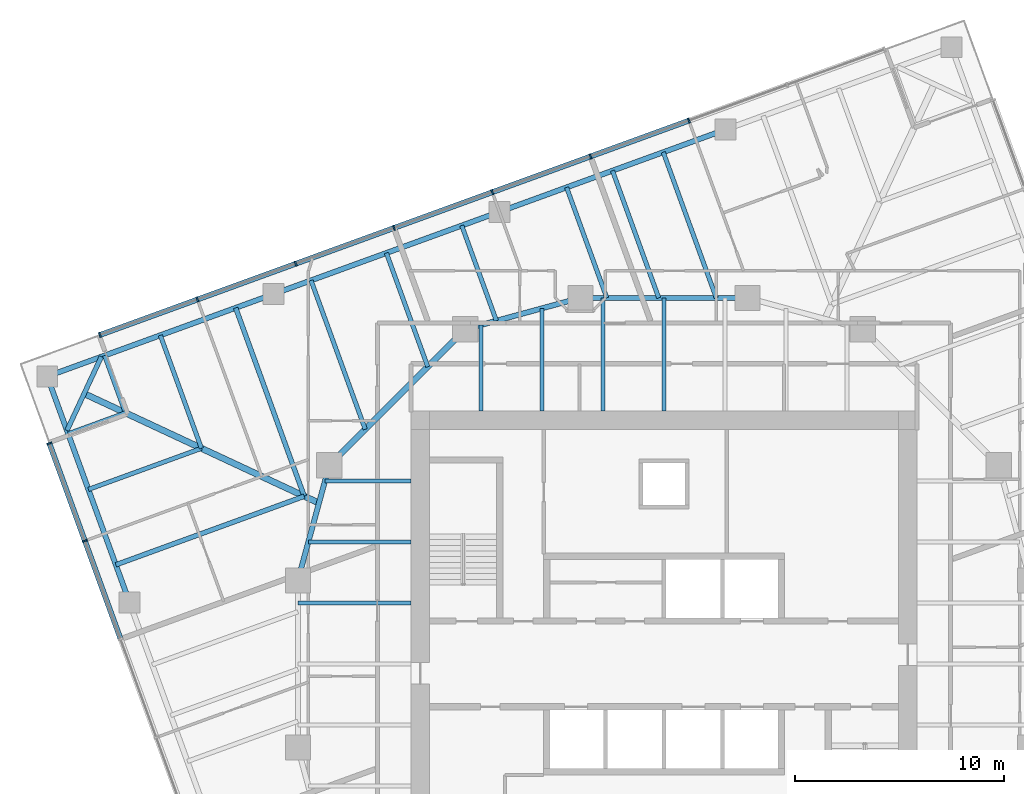
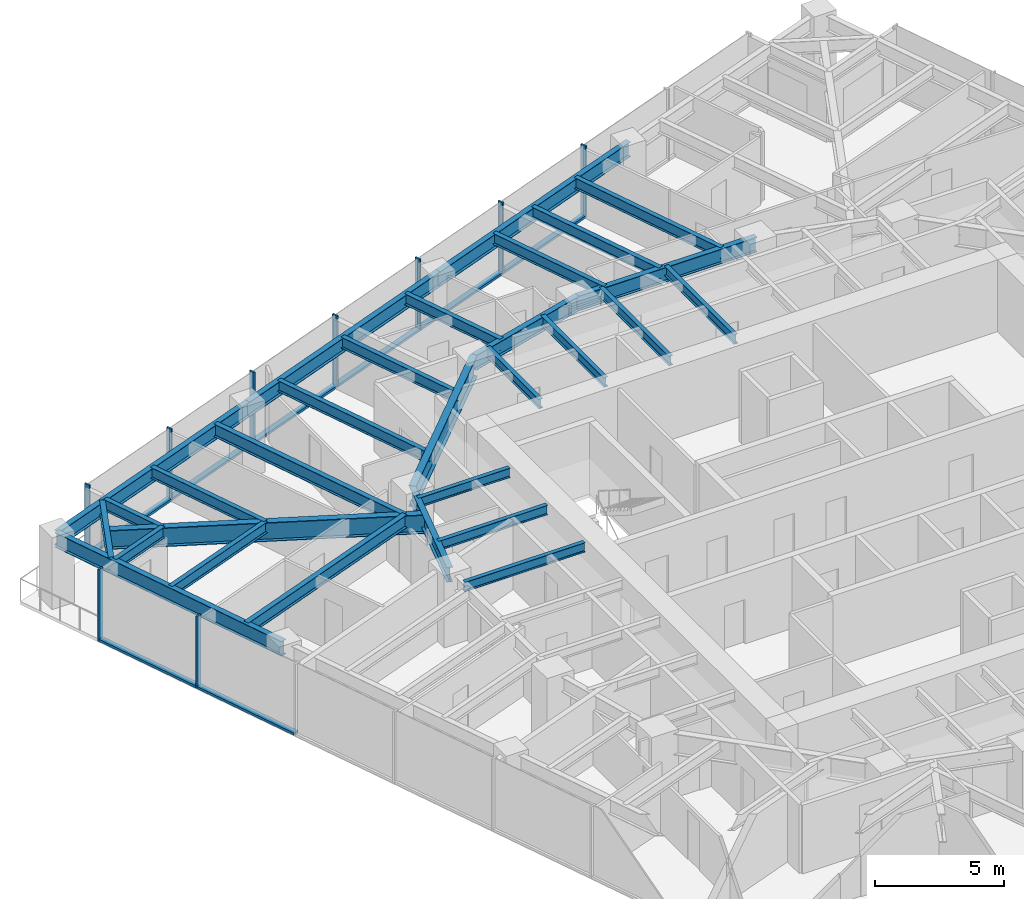
# One storey, part 4 of 13: 29 beams, 17 members, 2 elements without a shape of their own.
"""IFC4 building model written with IfcOpenShell, lengths in metres."""

from ifc_helpers import new_model, si_unit, direction, frame, origin, origin_2d, place, context, subcontext, project, spatial, rectangle, i_section, extrude, material, material_profile, profile_set, type_object, element, aggregate, save


model = new_model("IFC4")

# Units and contexts
model_context = context("Model", 3, precision=1e-05, world=origin(), true_north=direction((0.0, 1.0)))
body_context = subcontext(model_context, "Body", "Model", "MODEL_VIEW")
ifc_project = project(units=[si_unit("LENGTHUNIT", "METRE"), si_unit("AREAUNIT", "SQUARE_METRE"), si_unit("VOLUMEUNIT", "CUBIC_METRE"), si_unit("PLANEANGLEUNIT", "RADIAN"), si_unit("MASSUNIT", "GRAM", prefix="KILO")], contexts=[model_context])

# Site, building, storey
site_placement = place(None, origin())
site = spatial("IfcSite", under=ifc_project, at=site_placement, CompositionType="ELEMENT")
building_placement = place(site_placement, origin())
building = spatial("IfcBuilding", under=site, at=building_placement, Name="Torsade Residences", CompositionType="ELEMENT")
storey_placement = place(building_placement, frame((0.0, 0.0, 150.60009765625)))
storey = spatial("IfcBuildingStorey", under=building, at=storey_placement, Name="L41", CompositionType="ELEMENT", Elevation=150.60009765625)

# Beams
ifc_material_1 = material(Name="Steel grade 300", Category="steel")
ifc_material_profile_1 = material_profile(ifc_material_1, i_section(OverallWidth=0.300048828125, OverallDepth=0.89990234375, WebThickness=0.011962890625, FlangeThickness=0.02490234375, at=origin_2d()), Name="900WB175")
ifc_profile_set_1 = profile_set([ifc_material_profile_1], Name="Steel grade 300")
beam_type_1 = type_object("IfcBeamType", Name="CORNER GIRDER 900WB175", PredefinedType="BEAM", material=ifc_profile_set_1)
beam_1_placement = place(storey_placement, frame((12.282958984375, 42.924560546875, 2.7998046875), z_axis=(0.906308509373, -0.422616712682, 0.0), x_axis=(0.422616712682, 0.906308509373, 0.0)))
element("IfcBeam", 1, at=beam_1_placement, inside=storey, type_object=beam_type_1, Name="Corner girder 13 L42", PredefinedType="BEAM", context=body_context, shape_type="SweptSolid", body=[
    extrude(i_section(OverallWidth=0.300048828125, OverallDepth=0.89990234375, WebThickness=0.011962890625, FlangeThickness=0.02490234375, at=origin_2d()), origin(), (0.0, 0.0, 1.0), 12.3837890625),
])
ifc_material_2 = material(Name="Steel grade 300", Category="steel")
ifc_material_profile_2 = material_profile(ifc_material_2, i_section(OverallWidth=0.22802734375, OverallDepth=0.60205078125, WebThickness=0.010498046875, FlangeThickness=0.014892578125, FilletRadius=0.013916015625, at=origin_2d()), Name="610UB101")
ifc_profile_set_2 = profile_set([ifc_material_profile_2], Name="Steel grade 300")
beam_type_2 = type_object("IfcBeamType", Name="CORNER TRIMMER 610UB101", PredefinedType="BEAM", material=ifc_profile_set_2)
beam_2_placement = place(storey_placement, frame((11.461181640625, 41.162353515625, 2.948974609375), z_axis=(0.422613947806, 0.906309798645, 0.0), x_axis=(-0.906309798645, 0.422613947806, 0.0)))
element("IfcBeam", 2, at=beam_2_placement, inside=storey, type_object=beam_type_2, Name="Corner trimmer 13 L42", PredefinedType="BEAM", context=body_context, shape_type="SweptSolid", body=[
    extrude(i_section(OverallWidth=0.22802734375, OverallDepth=0.60205078125, WebThickness=0.010498046875, FlangeThickness=0.014892578125, FilletRadius=0.013916015625, at=origin_2d()), origin(), (0.0, 0.0, 1.0), 3.888916015625),
])
ifc_material_3 = material(Name="Steel grade 300", Category="steel")
ifc_material_profile_3 = material_profile(ifc_material_3, i_section(OverallWidth=0.25, OverallDepth=0.699951171875, WebThickness=0.010009765625, FlangeThickness=0.02001953125, at=origin_2d()), Name="700WB130")
ifc_profile_set_3 = profile_set([ifc_material_profile_3], Name="Steel grade 300")
beam_type_3 = type_object("IfcBeamType", Name="EDGE BEAM 700WB130", PredefinedType="SPANDREL", material=ifc_profile_set_3)
for number, where, z_axis, x_axis, name in (
    (3, (42.93994140625, 55.546142578125, 2.89990234375), (-0.939695448801, -0.342012373318, 0.0), (0.342012373318, -0.939695448801, 0.0), "Edge beam 10 L42"),
    (4, (32.133544921875, 51.613037109375, 2.89990234375), (-0.939688625666, -0.342031119628, 0.0), (0.342031119628, -0.939688625666, 0.0), "Edge beam 11 L42"),
    (5, (21.3271484375, 47.6796875, 2.89990234375), (-0.939697932031, -0.342005550448, 0.0), (0.342005550448, -0.939697932031, 0.0), "Edge beam 12 L42"),
):
    element("IfcBeam", number, at=place(storey_placement, frame(where, z_axis=z_axis, x_axis=x_axis)), inside=storey, type_object=beam_type_3, Name=name, PredefinedType="SPANDREL", context=body_context, shape_type="SweptSolid", body=[
        extrude(i_section(OverallWidth=0.25, OverallDepth=0.699951171875, WebThickness=0.010009765625, FlangeThickness=0.02001953125, at=origin_2d()), origin(), (0.0, 0.0, 1.0), 11.5),
    ])
beam_3_placement = place(storey_placement, frame((10.5205078125, 43.74658203125, 2.89990234375), z_axis=(0.342024296483, -0.93969110915, 0.0), x_axis=(0.93969110915, 0.342024296483, 0.0)))
element("IfcBeam", 6, at=beam_3_placement, inside=storey, type_object=beam_type_3, Name="Edge beam 13 L42", PredefinedType="SPANDREL", context=body_context, shape_type="SweptSolid", body=[
    extrude(i_section(OverallWidth=0.25, OverallDepth=0.699951171875, WebThickness=0.010009765625, FlangeThickness=0.02001953125, at=origin_2d()), origin(), (0.0, 0.0, 1.0), 11.500244140625),
])
ifc_material_4 = material(Name="Steel grade 300", Category="steel")
ifc_material_profile_4 = material_profile(ifc_material_4, i_section(OverallWidth=0.18994140625, OverallDepth=0.4541015625, WebThickness=0.008544921875, FlangeThickness=0.0126953125, FilletRadius=0.011474609375, at=origin_2d()), Name="460UB67.1")
ifc_profile_set_4 = profile_set([ifc_material_profile_4], Name="Steel grade 300")
beam_type_4 = type_object("IfcBeamType", Name="INNER FLOOR BEAM 460UB67.1", PredefinedType="JOIST", material=ifc_profile_set_4)
beam_4_placement = place(storey_placement, frame((31.262451171875, 42.10009765625, 3.02294921875), z_axis=(0.0, 1.0, 0.0), x_axis=(-1.0, 0.0, 0.0)))
element("IfcBeam", 7, at=beam_4_placement, inside=storey, type_object=beam_type_4, Name="Inner floor beam IN01 L42", PredefinedType="JOIST", context=body_context, shape_type="SweptSolid", body=[
    extrude(i_section(OverallWidth=0.18994140625, OverallDepth=0.4541015625, WebThickness=0.008544921875, FlangeThickness=0.0126953125, FilletRadius=0.011474609375, at=origin_2d()), origin(), (0.0, 0.0, 1.0), 4.10791015625),
])
beam_5_placement = place(storey_placement, frame((34.175048828125, 42.10009765625, 3.02294921875), z_axis=(0.0, 1.0, 0.0), x_axis=(-1.0, 0.0, 0.0)))
element("IfcBeam", 8, at=beam_5_placement, inside=storey, type_object=beam_type_4, Name="Inner floor beam IN02 L42", PredefinedType="JOIST", context=body_context, shape_type="SweptSolid", body=[
    extrude(i_section(OverallWidth=0.18994140625, OverallDepth=0.4541015625, WebThickness=0.008544921875, FlangeThickness=0.0126953125, FilletRadius=0.011474609375, at=origin_2d()), origin(), (0.0, 0.0, 1.0), 4.902099609375),
])
for number, where, z_axis, x_axis, name in (
    (9, (37.08740234375, 42.10009765625, 3.02294921875), (0.0, 1.0, 0.0), (-1.0, 0.0, 0.0), "Inner floor beam IN03 L42"),
    (10, (40.0, 42.10009765625, 3.02294921875), (0.0, 1.0, 0.0), (-1.0, 0.0, 0.0), "Inner floor beam IN04 L42"),
):
    element("IfcBeam", number, at=place(storey_placement, frame(where, z_axis=z_axis, x_axis=x_axis)), inside=storey, type_object=beam_type_4, Name=name, PredefinedType="JOIST", context=body_context, shape_type="SweptSolid", body=[
        extrude(i_section(OverallWidth=0.18994140625, OverallDepth=0.4541015625, WebThickness=0.008544921875, FlangeThickness=0.0126953125, FilletRadius=0.011474609375, at=origin_2d()), origin(), (0.0, 0.0, 1.0), 5.39990234375),
    ])
beam_6_placement = place(storey_placement, frame((27.89990234375, 38.737548828125, 3.02294921875), z_axis=(-1.0, 0.0, 0.0), x_axis=(0.0, -1.0, 0.0)))
element("IfcBeam", 11, at=beam_6_placement, inside=storey, type_object=beam_type_4, Name="Inner floor beam IW01 L42", PredefinedType="JOIST", context=body_context, shape_type="SweptSolid", body=[
    extrude(i_section(OverallWidth=0.18994140625, OverallDepth=0.4541015625, WebThickness=0.008544921875, FlangeThickness=0.0126953125, FilletRadius=0.011474609375, at=origin_2d()), origin(), (0.0, 0.0, 1.0), 4.10791015625),
])
beam_7_placement = place(storey_placement, frame((27.89990234375, 35.824951171875, 3.02294921875), z_axis=(-1.0, 0.0, 0.0), x_axis=(0.0, -1.0, 0.0)))
element("IfcBeam", 12, at=beam_7_placement, inside=storey, type_object=beam_type_4, Name="Inner floor beam IW02 L42", PredefinedType="JOIST", context=body_context, shape_type="SweptSolid", body=[
    extrude(i_section(OverallWidth=0.18994140625, OverallDepth=0.4541015625, WebThickness=0.008544921875, FlangeThickness=0.0126953125, FilletRadius=0.011474609375, at=origin_2d()), origin(), (0.0, 0.0, 1.0), 4.902099609375),
])
beam_8_placement = place(storey_placement, frame((27.89990234375, 32.91259765625, 3.02294921875), z_axis=(-1.0, 0.0, 0.0), x_axis=(0.0, -1.0, 0.0)))
element("IfcBeam", 13, at=beam_8_placement, inside=storey, type_object=beam_type_4, Name="Inner floor beam IW03 L42", PredefinedType="JOIST", context=body_context, shape_type="SweptSolid", body=[
    extrude(i_section(OverallWidth=0.18994140625, OverallDepth=0.4541015625, WebThickness=0.008544921875, FlangeThickness=0.0126953125, FilletRadius=0.011474609375, at=origin_2d()), origin(), (0.0, 0.0, 1.0), 5.39990234375),
])

# Curtain wall, members
ifc_material_5 = material(Name="Aluminium and glass", Category="aluminium")
curtain_wall_type = type_object("IfcCurtainWallType", Name="FRITTED GLASS CURTAIN WALL MID ZONE", PredefinedType="NOTDEFINED", material=ifc_material_5)
curtain_wall_1_placement = place(storey_placement, origin())
curtain_wall_1 = element("IfcCurtainWall", 14, at=curtain_wall_1_placement, inside=storey, type_object=curtain_wall_type, Name="Curtain wall L41 face 7", PredefinedType="NOTDEFINED")
ifc_material_6 = material(Name="Aluminium mullion", Category="aluminium")
ifc_material_profile_5 = material_profile(ifc_material_6, rectangle(XDim=0.25, YDim=0.080078125, at=origin_2d()), Name="MID ZONE CURTAIN WALL MULLION 250x80")
ifc_profile_set_5 = profile_set([ifc_material_profile_5], Name="Aluminium mullion")
member_type_1 = type_object("IfcMemberType", Name="MID ZONE CURTAIN WALL MULLION 250x80", PredefinedType="MULLION", material=ifc_profile_set_5)
member_1_placement = place(storey_placement, frame((41.1884765625, 55.972900390625, 0.0), z_axis=(0.0, 0.0, 1.0), x_axis=(0.342020147869, -0.939692619132, 0.0)))
member_1 = element("IfcMember", 15, at=member_1_placement, type_object=member_type_1, Name="Mullion 3", PredefinedType="MULLION", context=body_context, shape_type="SweptSolid", body=[
    extrude(rectangle(XDim=0.25, YDim=0.080078125, at=origin_2d()), origin(), (0.0, 0.0, 1.0), 3.39990234375),
])
member_2_placement = place(storey_placement, frame((36.489990234375, 54.2626953125, 0.0), z_axis=(0.0, 0.0, 1.0), x_axis=(0.342020147869, -0.939692619132, 0.0)))
member_2 = element("IfcMember", 16, at=member_2_placement, type_object=member_type_1, Name="Mullion 4", PredefinedType="MULLION", context=body_context, shape_type="SweptSolid", body=[
    extrude(rectangle(XDim=0.25, YDim=0.080078125, at=origin_2d()), origin(), (0.0, 0.0, 1.0), 3.39990234375),
])
member_3_placement = place(storey_placement, frame((31.79150390625, 52.552734375, 0.0), z_axis=(0.0, 0.0, 1.0), x_axis=(0.342020147869, -0.939692619132, 0.0)))
member_3 = element("IfcMember", 17, at=member_3_placement, type_object=member_type_1, Name="Mullion 5", PredefinedType="MULLION", context=body_context, shape_type="SweptSolid", body=[
    extrude(rectangle(XDim=0.25, YDim=0.080078125, at=origin_2d()), origin(), (0.0, 0.0, 1.0), 3.39990234375),
])
member_4_placement = place(storey_placement, frame((27.093017578125, 50.842529296875, 0.0), z_axis=(0.0, 0.0, 1.0), x_axis=(0.342020147869, -0.939692619132, 0.0)))
member_4 = element("IfcMember", 18, at=member_4_placement, type_object=member_type_1, Name="Mullion 6", PredefinedType="MULLION", context=body_context, shape_type="SweptSolid", body=[
    extrude(rectangle(XDim=0.25, YDim=0.080078125, at=origin_2d()), origin(), (0.0, 0.0, 1.0), 3.39990234375),
])
member_5_placement = place(storey_placement, frame((22.39453125, 49.13232421875, 0.0), z_axis=(0.0, 0.0, 1.0), x_axis=(0.342020147869, -0.939692619132, 0.0)))
member_5 = element("IfcMember", 19, at=member_5_placement, type_object=member_type_1, Name="Mullion 7", PredefinedType="MULLION", context=body_context, shape_type="SweptSolid", body=[
    extrude(rectangle(XDim=0.25, YDim=0.080078125, at=origin_2d()), origin(), (0.0, 0.0, 1.0), 3.39990234375),
])
member_6_placement = place(storey_placement, frame((17.696044921875, 47.42236328125, 0.0), z_axis=(0.0, 0.0, 1.0), x_axis=(0.342020147869, -0.939692619132, 0.0)))
member_6 = element("IfcMember", 20, at=member_6_placement, type_object=member_type_1, Name="Mullion 8", PredefinedType="MULLION", context=body_context, shape_type="SweptSolid", body=[
    extrude(rectangle(XDim=0.25, YDim=0.080078125, at=origin_2d()), origin(), (0.0, 0.0, 1.0), 3.39990234375),
])
member_7_placement = place(storey_placement, frame((13.03515625, 45.725830078125, 0.0), z_axis=(0.0, 0.0, 1.0), x_axis=(0.342020147869, -0.939692619132, 0.0)))
member_7 = element("IfcMember", 21, at=member_7_placement, type_object=member_type_1, Name="Mullion 9", PredefinedType="MULLION", context=body_context, shape_type="SweptSolid", body=[
    extrude(rectangle(XDim=0.25, YDim=0.080078125, at=origin_2d()), origin(), (0.0, 0.0, 1.0), 3.39990234375),
])

curtain_wall_2_placement = place(storey_placement, origin())
curtain_wall_2 = element("IfcCurtainWall", 22, at=curtain_wall_2_placement, inside=storey, type_object=curtain_wall_type, Name="Curtain wall L41 face 10", PredefinedType="NOTDEFINED")
member_8_placement = place(storey_placement, frame((10.62060546875, 40.5478515625, 0.0), z_axis=(0.0, 0.0, 1.0), x_axis=(0.939692619132, 0.342020147869, 0.0)))
member_8 = element("IfcMember", 23, at=member_8_placement, type_object=member_type_1, Name="Mullion 1", PredefinedType="MULLION", context=body_context, shape_type="SweptSolid", body=[
    extrude(rectangle(XDim=0.25, YDim=0.080078125, at=origin_2d()), origin(), (0.0, 0.0, 1.0), 3.39990234375),
])
member_9_placement = place(storey_placement, frame((12.317138671875, 35.886962890625, 0.0), z_axis=(0.0, 0.0, 1.0), x_axis=(0.939692619132, 0.342020147869, 0.0)))
member_9 = element("IfcMember", 24, at=member_9_placement, type_object=member_type_1, Name="Mullion 2", PredefinedType="MULLION", context=body_context, shape_type="SweptSolid", body=[
    extrude(rectangle(XDim=0.25, YDim=0.080078125, at=origin_2d()), origin(), (0.0, 0.0, 1.0), 3.39990234375),
])

# Member
ifc_material_7 = material(Name="Aluminium transom", Category="aluminium")
ifc_material_profile_6 = material_profile(ifc_material_7, rectangle(XDim=0.25, YDim=0.110107421875, at=origin_2d()), Name="MID ZONE CURTAIN WALL TRANSOM 250x110")
ifc_profile_set_6 = profile_set([ifc_material_profile_6], Name="Aluminium transom")
member_type_2 = type_object("IfcMemberType", Name="MID ZONE CURTAIN WALL TRANSOM 250x110", PredefinedType="USERDEFINED", material=ifc_profile_set_6)
member_10_placement = place(storey_placement, frame((41.15087890625, 55.959228515625, 0.054931640625), z_axis=(-0.93968471549, -0.342041862168, 0.0), x_axis=(0.342041862168, -0.93968471549, 0.0)))
member_10 = element("IfcMember", 25, at=member_10_placement, type_object=member_type_2, Name="Transom 3.1", ObjectType="TRANSOM", PredefinedType="USERDEFINED", context=body_context, shape_type="SweptSolid", body=[
    extrude(rectangle(XDim=0.25, YDim=0.110107421875, at=origin_2d()), origin(), (0.0, 0.0, 1.0), 4.920166015625),
])

member_11_placement = place(storey_placement, frame((36.452392578125, 54.2490234375, 0.054931640625), z_axis=(-0.9397006637, -0.341998044792, 0.0), x_axis=(0.341998044792, -0.9397006637, 0.0)))
member_11 = element("IfcMember", 26, at=member_11_placement, type_object=member_type_2, Name="Transom 4.1", ObjectType="TRANSOM", PredefinedType="USERDEFINED", context=body_context, shape_type="SweptSolid", body=[
    extrude(rectangle(XDim=0.25, YDim=0.110107421875, at=origin_2d()), origin(), (0.0, 0.0, 1.0), 4.919921875),
])

member_12_placement = place(storey_placement, frame((31.75390625, 52.5390625, 0.054931640625), z_axis=(-0.93968471549, -0.342041862168, 0.0), x_axis=(0.342041862168, -0.93968471549, 0.0)))
member_12 = element("IfcMember", 27, at=member_12_placement, type_object=member_type_2, Name="Transom 5.1", ObjectType="TRANSOM", PredefinedType="USERDEFINED", context=body_context, shape_type="SweptSolid", body=[
    extrude(rectangle(XDim=0.25, YDim=0.110107421875, at=origin_2d()), origin(), (0.0, 0.0, 1.0), 4.920166015625),
])

member_13_placement = place(storey_placement, frame((27.055419921875, 50.828857421875, 0.054931640625), z_axis=(-0.93968471549, -0.342041862168, 0.0), x_axis=(0.342041862168, -0.93968471549, 0.0)))
member_13 = element("IfcMember", 28, at=member_13_placement, type_object=member_type_2, Name="Transom 6.1", ObjectType="TRANSOM", PredefinedType="USERDEFINED", context=body_context, shape_type="SweptSolid", body=[
    extrude(rectangle(XDim=0.25, YDim=0.110107421875, at=origin_2d()), origin(), (0.0, 0.0, 1.0), 4.920166015625),
])

member_14_placement = place(storey_placement, frame((22.35693359375, 49.11865234375, 0.054931640625), z_axis=(-0.9397006637, -0.341998044792, 0.0), x_axis=(0.341998044792, -0.9397006637, 0.0)))
member_14 = element("IfcMember", 29, at=member_14_placement, type_object=member_type_2, Name="Transom 7.1", ObjectType="TRANSOM", PredefinedType="USERDEFINED", context=body_context, shape_type="SweptSolid", body=[
    extrude(rectangle(XDim=0.25, YDim=0.110107421875, at=origin_2d()), origin(), (0.0, 0.0, 1.0), 4.919921875),
])

member_15_placement = place(storey_placement, frame((17.658447265625, 47.40869140625, 0.054931640625), z_axis=(-0.939683823915, -0.342044311564, 0.0), x_axis=(0.342044311564, -0.939683823915, 0.0)))
member_15 = element("IfcMember", 30, at=member_15_placement, type_object=member_type_2, Name="Transom 8.1", ObjectType="TRANSOM", PredefinedType="USERDEFINED", context=body_context, shape_type="SweptSolid", body=[
    extrude(rectangle(XDim=0.25, YDim=0.110107421875, at=origin_2d()), origin(), (0.0, 0.0, 1.0), 4.880126953125),
])

aggregate(curtain_wall_1, [member_1, member_2, member_3, member_4, member_5, member_6, member_7, member_10, member_11, member_12, member_13, member_14, member_15])

member_16_placement = place(storey_placement, frame((10.63427734375, 40.51025390625, 0.054931640625), z_axis=(0.342044311564, -0.939683823915, 0.0), x_axis=(0.939683823915, 0.342044311564, 0.0)))
member_16 = element("IfcMember", 31, at=member_16_placement, type_object=member_type_2, Name="Transom 1.1", ObjectType="TRANSOM", PredefinedType="USERDEFINED", context=body_context, shape_type="SweptSolid", body=[
    extrude(rectangle(XDim=0.25, YDim=0.110107421875, at=origin_2d()), origin(), (0.0, 0.0, 1.0), 4.880126953125),
])

member_17_placement = place(storey_placement, frame((12.330810546875, 35.849365234375, 0.054931640625), z_axis=(0.341998044792, -0.9397006637, 0.0), x_axis=(0.9397006637, 0.341998044792, 0.0)))
member_17 = element("IfcMember", 32, at=member_17_placement, type_object=member_type_2, Name="Transom 2.1", ObjectType="TRANSOM", PredefinedType="USERDEFINED", context=body_context, shape_type="SweptSolid", body=[
    extrude(rectangle(XDim=0.25, YDim=0.110107421875, at=origin_2d()), origin(), (0.0, 0.0, 1.0), 4.919921875),
])

aggregate(curtain_wall_2, [member_8, member_9, member_16, member_17])

# Beams
ifc_material_8 = material(Name="Steel grade 300", Category="steel")
ifc_material_profile_7 = material_profile(ifc_material_8, i_section(OverallWidth=0.300048828125, OverallDepth=1.0, WebThickness=0.01611328125, FlangeThickness=0.028076171875, at=origin_2d()), Name="1000WB215")
ifc_profile_set_7 = profile_set([ifc_material_profile_7], Name="Steel grade 300")
beam_type_5 = type_object("IfcBeamType", Name="RING CORNER GIRDER 1000WB215", PredefinedType="BEAM", material=ifc_profile_set_7)
beam_9_placement = place(storey_placement, frame((30.5, 46.0, 2.75), z_axis=(-0.707106781187, -0.707106781187, 0.0), x_axis=(0.707106781187, -0.707106781187, 0.0)))
element("IfcBeam", 33, at=beam_9_placement, inside=storey, type_object=beam_type_5, Name="Ring girder IR07 L42", PredefinedType="BEAM", context=body_context, shape_type="SweptSolid", body=[
    extrude(i_section(OverallWidth=0.300048828125, OverallDepth=1.0, WebThickness=0.01611328125, FlangeThickness=0.028076171875, at=origin_2d()), origin(), (0.0, 0.0, 1.0), 9.1923828125),
])
ifc_material_9 = material(Name="Steel grade 300", Category="steel")
ifc_material_profile_8 = material_profile(ifc_material_9, i_section(OverallWidth=0.25, OverallDepth=0.699951171875, WebThickness=0.010009765625, FlangeThickness=0.02001953125, at=origin_2d()), Name="700WB130")
ifc_profile_set_8 = profile_set([ifc_material_profile_8], Name="Steel grade 300")
beam_type_6 = type_object("IfcBeamType", Name="RING GIRDER 700WB130", PredefinedType="BEAM", material=ifc_profile_set_8)
beam_10_placement = place(storey_placement, frame((44.0, 47.5, 2.89990234375), z_axis=(-1.0, 0.0, 0.0), x_axis=(0.0, -1.0, 0.0)))
element("IfcBeam", 34, at=beam_10_placement, inside=storey, type_object=beam_type_6, Name="Ring girder IR05 L42", PredefinedType="BEAM", context=body_context, shape_type="SweptSolid", body=[
    extrude(i_section(OverallWidth=0.25, OverallDepth=0.699951171875, WebThickness=0.010009765625, FlangeThickness=0.02001953125, at=origin_2d()), origin(), (0.0, 0.0, 1.0), 8.0),
])
for number, where, z_axis, x_axis, name in (
    (35, (36.0, 47.5, 2.89990234375), (-0.964763821238, -0.263117405792, 0.0), (0.263117405792, -0.964763821238, 0.0), "Ring girder IR06 L42"),
    (36, (24.0, 39.5, 2.89990234375), (-0.263117405792, -0.964763821238, 0.0), (0.964763821238, -0.263117405792, 0.0), "Ring girder IR08 L42"),
):
    element("IfcBeam", number, at=place(storey_placement, frame(where, z_axis=z_axis, x_axis=x_axis)), inside=storey, type_object=beam_type_6, Name=name, PredefinedType="BEAM", context=body_context, shape_type="SweptSolid", body=[
        extrude(i_section(OverallWidth=0.25, OverallDepth=0.699951171875, WebThickness=0.010009765625, FlangeThickness=0.02001953125, at=origin_2d()), origin(), (0.0, 0.0, 1.0), 5.700927734375),
    ])
ifc_material_10 = material(Name="Steel grade 300", Category="steel")
ifc_material_profile_9 = material_profile(ifc_material_10, i_section(OverallWidth=0.208984375, OverallDepth=0.528076171875, WebThickness=0.009521484375, FlangeThickness=0.01318359375, FilletRadius=0.013916015625, at=origin_2d()), Name="530UB82.0")
ifc_profile_set_9 = profile_set([ifc_material_profile_9], Name="Steel grade 300")
beam_type_7 = type_object("IfcBeamType", Name="SECONDARY BEAM 530UB82.0", PredefinedType="JOIST", material=ifc_profile_set_9)
beam_11_placement = place(storey_placement, frame((39.96435546875, 54.463134765625, 2.98583984375), z_axis=(0.342026105929, -0.939690450554, 0.0), x_axis=(0.939690450554, 0.342026105929, 0.0)))
element("IfcBeam", 37, at=beam_11_placement, inside=storey, type_object=beam_type_7, Name="Floor beam FN04 L42", PredefinedType="JOIST", context=body_context, shape_type="SweptSolid", body=[
    extrude(i_section(OverallWidth=0.208984375, OverallDepth=0.528076171875, WebThickness=0.009521484375, FlangeThickness=0.01318359375, FilletRadius=0.013916015625, at=origin_2d()), origin(), (0.0, 0.0, 1.0), 7.409912109375),
])
beam_12_placement = place(storey_placement, frame((37.536865234375, 53.57958984375, 2.98583984375), z_axis=(0.342000590983, -0.939699737026, 0.0), x_axis=(0.939699737026, 0.342000590983, 0.0)))
element("IfcBeam", 38, at=beam_12_placement, inside=storey, type_object=beam_type_7, Name="Floor beam FN05 L42", PredefinedType="JOIST", context=body_context, shape_type="SweptSolid", body=[
    extrude(i_section(OverallWidth=0.208984375, OverallDepth=0.528076171875, WebThickness=0.009521484375, FlangeThickness=0.01318359375, FilletRadius=0.013916015625, at=origin_2d()), origin(), (0.0, 0.0, 1.0), 6.4697265625),
])
beam_13_placement = place(storey_placement, frame((35.34423828125, 52.781494140625, 2.98583984375), z_axis=(0.341990681925, -0.939703343336, 0.0), x_axis=(0.939703343336, 0.341990681925, 0.0)))
element("IfcBeam", 39, at=beam_13_placement, inside=storey, type_object=beam_type_7, Name="Floor beam FN06 L42", PredefinedType="JOIST", context=body_context, shape_type="SweptSolid", body=[
    extrude(i_section(OverallWidth=0.208984375, OverallDepth=0.528076171875, WebThickness=0.009521484375, FlangeThickness=0.01318359375, FilletRadius=0.013916015625, at=origin_2d()), origin(), (0.0, 0.0, 1.0), 5.620361328125),
])
beam_14_placement = place(storey_placement, frame((30.33251953125, 50.957275390625, 2.98583984375), z_axis=(0.342014218604, -0.939694777187, 0.0), x_axis=(0.939694777187, 0.342014218604, 0.0)))
element("IfcBeam", 40, at=beam_14_placement, inside=storey, type_object=beam_type_7, Name="Floor beam FN07 L42", PredefinedType="JOIST", context=body_context, shape_type="SweptSolid", body=[
    extrude(i_section(OverallWidth=0.208984375, OverallDepth=0.528076171875, WebThickness=0.009521484375, FlangeThickness=0.01318359375, FilletRadius=0.013916015625, at=origin_2d()), origin(), (0.0, 0.0, 1.0), 4.84326171875),
])
beam_15_placement = place(storey_placement, frame((26.730224609375, 49.646240234375, 2.98583984375), z_axis=(0.342034409239, -0.939687428295, 0.0), x_axis=(0.939687428295, 0.342034409239, 0.0)))
element("IfcBeam", 41, at=beam_15_placement, inside=storey, type_object=beam_type_7, Name="Floor beam FN08 L42", PredefinedType="JOIST", context=body_context, shape_type="SweptSolid", body=[
    extrude(i_section(OverallWidth=0.208984375, OverallDepth=0.528076171875, WebThickness=0.009521484375, FlangeThickness=0.01318359375, FilletRadius=0.013916015625, at=origin_2d()), origin(), (0.0, 0.0, 1.0), 5.785888671875),
])
beam_16_placement = place(storey_placement, frame((23.128173828125, 48.335205078125, 2.98583984375), z_axis=(0.342027762686, -0.939689847531, 0.0), x_axis=(0.939689847531, 0.342027762686, 0.0)))
element("IfcBeam", 42, at=beam_16_placement, inside=storey, type_object=beam_type_7, Name="Floor beam FN09 L42", PredefinedType="JOIST", context=body_context, shape_type="SweptSolid", body=[
    extrude(i_section(OverallWidth=0.208984375, OverallDepth=0.528076171875, WebThickness=0.009521484375, FlangeThickness=0.01318359375, FilletRadius=0.013916015625, at=origin_2d()), origin(), (0.0, 0.0, 1.0), 7.573486328125),
])
beam_17_placement = place(storey_placement, frame((15.923828125, 45.713134765625, 2.98583984375), z_axis=(0.342005550448, -0.939697932031, 0.0), x_axis=(0.939697932031, 0.342005550448, 0.0)))
element("IfcBeam", 43, at=beam_17_placement, inside=storey, type_object=beam_type_7, Name="Floor beam FN11 L42", PredefinedType="JOIST", context=body_context, shape_type="SweptSolid", body=[
    extrude(i_section(OverallWidth=0.208984375, OverallDepth=0.528076171875, WebThickness=0.009521484375, FlangeThickness=0.01318359375, FilletRadius=0.013916015625, at=origin_2d()), origin(), (0.0, 0.0, 1.0), 5.75),
])
for number, where, z_axis, x_axis, name in (
    (44, (13.261474609375, 44.744140625, 2.98583984375), (0.341998427281, -0.939700524495, 0.0), (0.939700524495, 0.341998427281, 0.0), "Floor beam FN12 L42"),
    (45, (11.51806640625, 41.005615234375, 2.98583984375), (0.939700524495, 0.341998427281, 0.0), (-0.341998427281, 0.939700524495, 0.0), "Floor beam FW01 L42"),
):
    element("IfcBeam", number, at=place(storey_placement, frame(where, z_axis=z_axis, x_axis=x_axis)), inside=storey, type_object=beam_type_7, Name=name, PredefinedType="JOIST", context=body_context, shape_type="SweptSolid", body=[
        extrude(i_section(OverallWidth=0.208984375, OverallDepth=0.528076171875, WebThickness=0.009521484375, FlangeThickness=0.01318359375, FilletRadius=0.013916015625, at=origin_2d()), origin(), (0.0, 0.0, 1.0), 2.916748046875),
    ])
beam_18_placement = place(storey_placement, frame((12.4873046875, 38.34326171875, 2.98583984375), z_axis=(0.939692965423, 0.342019196443, 0.0), x_axis=(-0.342019196443, 0.939692965423, 0.0)))
element("IfcBeam", 46, at=beam_18_placement, inside=storey, type_object=beam_type_7, Name="Floor beam FW02 L42", PredefinedType="JOIST", context=body_context, shape_type="SweptSolid", body=[
    extrude(i_section(OverallWidth=0.208984375, OverallDepth=0.528076171875, WebThickness=0.009521484375, FlangeThickness=0.01318359375, FilletRadius=0.013916015625, at=origin_2d()), origin(), (0.0, 0.0, 1.0), 5.749755859375),
])
ifc_material_11 = material(Name="Steel grade 300", Category="steel")
ifc_material_profile_10 = material_profile(ifc_material_11, i_section(OverallWidth=0.22900390625, OverallDepth=0.612060546875, WebThickness=0.011962890625, FlangeThickness=0.01953125, FilletRadius=0.013916015625, at=origin_2d()), Name="610UB125")
ifc_profile_set_10 = profile_set([ifc_material_profile_10], Name="Steel grade 300")
beam_type_8 = type_object("IfcBeamType", Name="SECONDARY BEAM 610UB125", PredefinedType="JOIST", material=ifc_profile_set_10)
for number, where, z_axis, x_axis, name in (
    (47, (19.52587890625, 47.024169921875, 2.94384765625), (0.342033504181, -0.939687757725, 0.0), (0.939687757725, 0.342033504181, 0.0), "Floor beam FN10 L42"),
    (48, (13.79833984375, 34.740966796875, 2.94384765625), (0.939687757725, 0.342033504181, 0.0), (-0.342033504181, 0.939687757725, 0.0), "Floor beam FW03 L42"),
):
    element("IfcBeam", number, at=place(storey_placement, frame(where, z_axis=z_axis, x_axis=x_axis)), inside=storey, type_object=beam_type_8, Name=name, PredefinedType="JOIST", context=body_context, shape_type="SweptSolid", body=[
        extrude(i_section(OverallWidth=0.22900390625, OverallDepth=0.612060546875, WebThickness=0.011962890625, FlangeThickness=0.01953125, FilletRadius=0.013916015625, at=origin_2d()), origin(), (0.0, 0.0, 1.0), 9.583251953125),
    ])

save(model, "model.ifc")
